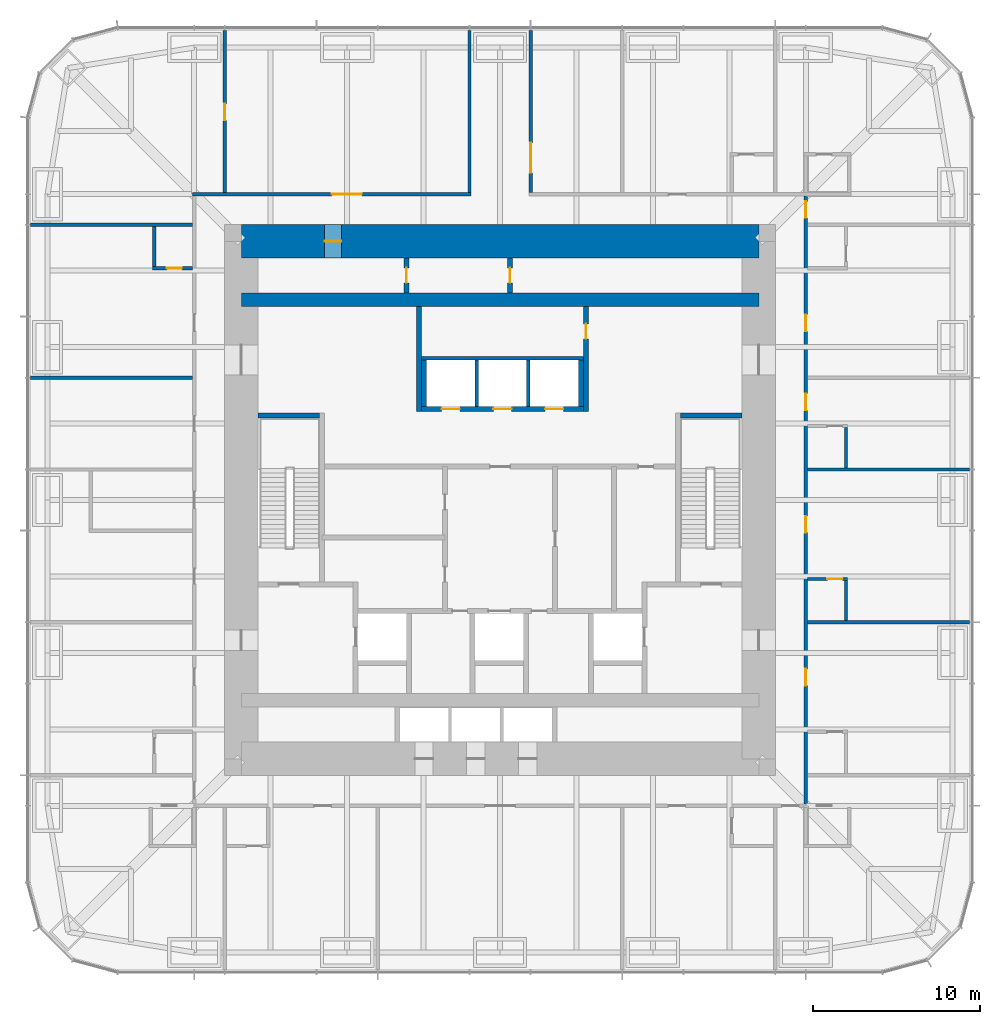
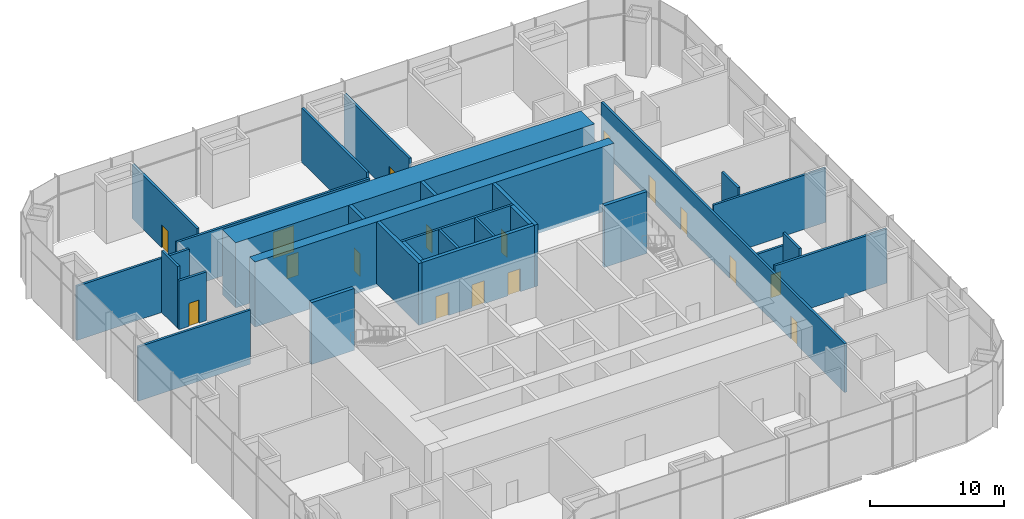
# One storey, part 10 of 12: 28 walls, 17 doors, 17 openings.
"""IFC4 building model written with IfcOpenShell, lengths in metres."""

from ifc_helpers import new_model, si_unit, direction, frame, frame_2d, origin, place, context, subcontext, project, spatial, rectangle, extrude, material, layer, layer_set, type_object, element, fill, save


model = new_model("IFC4")

# Units and contexts
model_context = context("Model", 3, precision=1e-05, world=origin(), true_north=direction((0.0, 1.0)))
body_context = subcontext(model_context, "Body", "Model", "MODEL_VIEW")
ifc_project = project(units=[si_unit("LENGTHUNIT", "METRE"), si_unit("AREAUNIT", "SQUARE_METRE"), si_unit("VOLUMEUNIT", "CUBIC_METRE"), si_unit("PLANEANGLEUNIT", "RADIAN"), si_unit("MASSUNIT", "GRAM", prefix="KILO")], contexts=[model_context])

# Site, building, storey
site_placement = place(None, origin())
site = spatial("IfcSite", under=ifc_project, at=site_placement, CompositionType="ELEMENT")
building_placement = place(site_placement, origin())
building = spatial("IfcBuilding", under=site, at=building_placement, Name="Khuree Lantern Residences", CompositionType="ELEMENT")
storey_placement = place(building_placement, frame((0.0, 0.0, 186.0)))
storey = spatial("IfcBuildingStorey", under=building, at=storey_placement, Name="L47", CompositionType="ELEMENT", Elevation=186.0)

# Wall, openings, doors
ifc_material_1 = material(Name="Dense concrete blockwork", Category="masonry")
ifc_layer_1 = layer(ifc_material_1, 0.300048828125)
ifc_layer_set_1 = layer_set([ifc_layer_1], Name="CORE PARTITION WALL CPW300 EI 120")
wall_type_1 = type_object("IfcWallType", Name="CORE PARTITION WALL CPW300 EI 120", PredefinedType="PARTITIONING", material=ifc_layer_set_1)
wall_1_placement = place(storey_placement, frame((-4.699951171875, 5.449951171875, 0.0), z_axis=(0.0, 0.0, 1.0), x_axis=(1.0, 0.0, 0.0)))
wall_1 = element("IfcWall", 1, at=wall_1_placement, inside=storey, type_object=wall_type_1, Name="L47 CORE WALL PHS", PredefinedType="PARTITIONING", context=body_context, shape_type="SweptSolid", body=[
    extrude(rectangle(XDim=9.699951171875, YDim=0.300048828125, at=frame_2d((4.85009765625, 0.0))), origin(), (0.0, 0.0, 1.0), 5.64990234375),
])
opening_1_placement = place(wall_1_placement, frame((1.199951171875, 0.0, 0.0)))
opening_1 = element("IfcOpeningElement", 2, at=opening_1_placement, cuts=wall_1, Name="Opening 47-009", PredefinedType="OPENING", context=body_context, shape_type="SweptSolid", body=[
    extrude(rectangle(XDim=1.10009765625, YDim=2.10009765625, at=frame_2d((0.550048828125, 1.050048828125))), frame((0.0, 0.16015625, 0.0), z_axis=(0.0, -1.0, 0.0), x_axis=(1.0, 0.0, 0.0)), (0.0, 0.0, 1.0), 0.320068359375),
])
opening_2_placement = place(wall_1_placement, frame((4.300048828125, 0.0, 0.0)))
opening_2 = element("IfcOpeningElement", 3, at=opening_2_placement, cuts=wall_1, Name="Opening 47-010", PredefinedType="OPENING", context=body_context, shape_type="SweptSolid", body=[
    extrude(rectangle(XDim=1.10009765625, YDim=2.10009765625, at=frame_2d((0.550048828125, 1.050048828125))), frame((0.0, 0.16015625, 0.0), z_axis=(0.0, -1.0, 0.0), x_axis=(1.0, 0.0, 0.0)), (0.0, 0.0, 1.0), 0.320068359375),
])
opening_3_placement = place(wall_1_placement, frame((7.39990234375, 0.0, 0.0)))
opening_3 = element("IfcOpeningElement", 4, at=opening_3_placement, cuts=wall_1, Name="Opening 47-011", PredefinedType="OPENING", context=body_context, shape_type="SweptSolid", body=[
    extrude(rectangle(XDim=1.10009765625, YDim=2.10009765625, at=frame_2d((0.550048828125, 1.050048828125))), frame((0.0, 0.16015625, 0.0), z_axis=(0.0, -1.0, 0.0), x_axis=(1.0, 0.0, 0.0)), (0.0, 0.0, 1.0), 0.320068359375),
])
ifc_material_2 = material(Name="Stainless steel lift landing door", Category="steel")
door_type_1 = type_object("IfcDoorType", Name="LIFT LANDING DOOR 1100X2100 E 60", OperationType="DOUBLE_DOOR_SLIDING", PredefinedType="DOOR", material=ifc_material_2)
door_1_placement = place(opening_1_placement, origin())
door_1 = element("IfcDoor", 5, at=door_1_placement, inside=storey, type_object=door_type_1, Name="Landing door PH1 47-009", OperationType="DOUBLE_DOOR_SLIDING", OverallHeight=2.10009765625, OverallWidth=1.10009765625, PredefinedType="DOOR", context=body_context, shape_type="SweptSolid", body=[
    extrude(rectangle(XDim=1.10009765625, YDim=2.10009765625, at=frame_2d((0.550048828125, 1.050048828125))), frame((0.0, 0.02490234375, 0.0), z_axis=(0.0, -1.0, 0.0), x_axis=(1.0, 0.0, 0.0)), (0.0, 0.0, 1.0), 0.050048828125),
])
fill(opening_1, door_1)
door_2_placement = place(opening_2_placement, origin())
door_2 = element("IfcDoor", 6, at=door_2_placement, inside=storey, type_object=door_type_1, Name="Landing door PH2 47-010", OperationType="DOUBLE_DOOR_SLIDING", OverallHeight=2.10009765625, OverallWidth=1.10009765625, PredefinedType="DOOR", context=body_context, shape_type="SweptSolid", body=[
    extrude(rectangle(XDim=1.10009765625, YDim=2.10009765625, at=frame_2d((0.550048828125, 1.050048828125))), frame((0.0, 0.02490234375, 0.0), z_axis=(0.0, -1.0, 0.0), x_axis=(1.0, 0.0, 0.0)), (0.0, 0.0, 1.0), 0.050048828125),
])
fill(opening_2, door_2)
door_3_placement = place(opening_3_placement, origin())
door_3 = element("IfcDoor", 7, at=door_3_placement, inside=storey, type_object=door_type_1, Name="Landing door PH3 47-011", OperationType="DOUBLE_DOOR_SLIDING", OverallHeight=2.10009765625, OverallWidth=1.10009765625, PredefinedType="DOOR", context=body_context, shape_type="SweptSolid", body=[
    extrude(rectangle(XDim=1.10009765625, YDim=2.10009765625, at=frame_2d((0.550048828125, 1.050048828125))), frame((0.0, 0.02490234375, 0.0), z_axis=(0.0, -1.0, 0.0), x_axis=(1.0, 0.0, 0.0)), (0.0, 0.0, 1.0), 0.050048828125),
])
fill(opening_3, door_3)

# Walls
for number, where, z_axis, x_axis, name in (
    (8, (-4.550048828125, 5.60009765625, 0.0), (0.0, 0.0, 1.0), (0.0, 1.0, 0.0), "L47 CORE WALL PHW"),
    (9, (4.85009765625, 5.60009765625, 0.0), (0.0, 0.0, 1.0), (0.0, 1.0, 0.0), "L47 CORE WALL PHE"),
):
    element("IfcWall", number, at=place(storey_placement, frame(where, z_axis=z_axis, x_axis=x_axis)), inside=storey, type_object=wall_type_1, Name=name, PredefinedType="PARTITIONING", context=body_context, shape_type="SweptSolid", body=[
        extrude(rectangle(XDim=2.7998046875, YDim=0.300048828125, at=frame_2d((1.39990234375, 0.0))), origin(), (0.0, 0.0, 1.0), 5.64990234375),
    ])
wall_2_placement = place(storey_placement, frame((-4.85009765625, 5.300048828125, 0.0), z_axis=(0.0, 0.0, 1.0), x_axis=(0.0, 1.0, 0.0)))
element("IfcWall", 10, at=wall_2_placement, inside=storey, type_object=wall_type_1, Name="L47 CORE WALL NW", PredefinedType="PARTITIONING", context=body_context, shape_type="SweptSolid", body=[
    extrude(rectangle(XDim=6.300048828125, YDim=0.300048828125, at=frame_2d((3.14990234375, 0.0))), origin(), (0.0, 0.0, 1.0), 5.64990234375),
])

# Wall, opening, door
wall_3_placement = place(storey_placement, frame((5.14990234375, 5.300048828125, 0.0), z_axis=(0.0, 0.0, 1.0), x_axis=(0.0, 1.0, 0.0)))
wall_3 = element("IfcWall", 11, at=wall_3_placement, inside=storey, type_object=wall_type_1, Name="L47 CORE WALL NE", PredefinedType="PARTITIONING", context=body_context, shape_type="SweptSolid", body=[
    extrude(rectangle(XDim=6.300048828125, YDim=0.300048828125, at=frame_2d((3.14990234375, 0.0))), origin(), (0.0, 0.0, 1.0), 5.64990234375),
])
opening_4_placement = place(wall_3_placement, frame((4.35009765625, 0.0, 0.0)))
opening_4 = element("IfcOpeningElement", 12, at=opening_4_placement, cuts=wall_3, Name="Opening 47-023", PredefinedType="OPENING", context=body_context, shape_type="SweptSolid", body=[
    extrude(rectangle(XDim=0.89990234375, YDim=2.10009765625, at=frame_2d((0.449951171875, 1.050048828125))), frame((0.0, 0.16015625, 0.0), z_axis=(0.0, -1.0, 0.0), x_axis=(1.0, 0.0, 0.0)), (0.0, 0.0, 1.0), 0.320068359375),
])
ifc_material_3 = material(Name="Timber door leaf in hardwood frame", Category="wood")
door_type_2 = type_object("IfcDoorType", Name="DOOR 900X2100", OperationType="SINGLE_SWING_LEFT", PredefinedType="DOOR", material=ifc_material_3)
door_4_placement = place(opening_4_placement, origin())
door_4 = element("IfcDoor", 13, at=door_4_placement, inside=storey, type_object=door_type_2, Name="Linen and laundry store door 47-023", OperationType="SINGLE_SWING_LEFT", OverallHeight=2.10009765625, OverallWidth=0.89990234375, PredefinedType="DOOR", context=body_context, shape_type="SweptSolid", body=[
    extrude(rectangle(XDim=0.89990234375, YDim=2.10009765625, at=frame_2d((0.449951171875, 1.050048828125))), frame((0.0, 0.02490234375, 0.0), z_axis=(0.0, -1.0, 0.0), x_axis=(1.0, 0.0, 0.0)), (0.0, 0.0, 1.0), 0.050048828125),
])
fill(opening_4, door_4)

wall_4_placement = place(storey_placement, frame((-5.60009765625, 12.39990234375, 0.0), z_axis=(0.0, 0.0, 1.0), x_axis=(0.0, 1.0, 0.0)))
wall_4 = element("IfcWall", 14, at=wall_4_placement, inside=storey, type_object=wall_type_1, Name="L47 CORE WALL PLX", PredefinedType="PARTITIONING", context=body_context, shape_type="SweptSolid", body=[
    extrude(rectangle(XDim=2.10009765625, YDim=0.300048828125, at=frame_2d((1.050048828125, 0.0))), origin(), (0.0, 0.0, 1.0), 5.64990234375),
])
opening_5_placement = place(wall_4_placement, frame((0.60009765625, 0.0, 0.0)))
opening_5 = element("IfcOpeningElement", 15, at=opening_5_placement, cuts=wall_4, Name="Opening 47-024", PredefinedType="OPENING", context=body_context, shape_type="SweptSolid", body=[
    extrude(rectangle(XDim=0.89990234375, YDim=2.10009765625, at=frame_2d((0.449951171875, 1.050048828125))), frame((0.0, 0.16015625, 0.0), z_axis=(0.0, -1.0, 0.0), x_axis=(1.0, 0.0, 0.0)), (0.0, 0.0, 1.0), 0.320068359375),
])
door_5_placement = place(opening_5_placement, origin())
door_5 = element("IfcDoor", 16, at=door_5_placement, inside=storey, type_object=door_type_2, Name="Store door 47-024", OperationType="SINGLE_SWING_LEFT", OverallHeight=2.10009765625, OverallWidth=0.89990234375, PredefinedType="DOOR", context=body_context, shape_type="SweptSolid", body=[
    extrude(rectangle(XDim=0.89990234375, YDim=2.10009765625, at=frame_2d((0.449951171875, 1.050048828125))), frame((0.0, 0.02490234375, 0.0), z_axis=(0.0, -1.0, 0.0), x_axis=(1.0, 0.0, 0.0)), (0.0, 0.0, 1.0), 0.050048828125),
])
fill(opening_5, door_5)

wall_5_placement = place(storey_placement, frame((0.60009765625, 12.39990234375, 0.0), z_axis=(0.0, 0.0, 1.0), x_axis=(0.0, 1.0, 0.0)))
wall_5 = element("IfcWall", 17, at=wall_5_placement, inside=storey, type_object=wall_type_1, Name="L47 CORE WALL PLY", PredefinedType="PARTITIONING", context=body_context, shape_type="SweptSolid", body=[
    extrude(rectangle(XDim=2.10009765625, YDim=0.300048828125, at=frame_2d((1.050048828125, 0.0))), origin(), (0.0, 0.0, 1.0), 5.64990234375),
])
opening_6_placement = place(wall_5_placement, frame((0.60009765625, 0.0, 0.0)))
opening_6 = element("IfcOpeningElement", 18, at=opening_6_placement, cuts=wall_5, Name="Opening 47-025", PredefinedType="OPENING", context=body_context, shape_type="SweptSolid", body=[
    extrude(rectangle(XDim=0.89990234375, YDim=2.10009765625, at=frame_2d((0.449951171875, 1.050048828125))), frame((0.0, 0.16015625, 0.0), z_axis=(0.0, -1.0, 0.0), x_axis=(1.0, 0.0, 0.0)), (0.0, 0.0, 1.0), 0.320068359375),
])
door_6_placement = place(opening_6_placement, origin())
door_6 = element("IfcDoor", 19, at=door_6_placement, inside=storey, type_object=door_type_2, Name="Maintenance store door 47-025", OperationType="SINGLE_SWING_LEFT", OverallHeight=2.10009765625, OverallWidth=0.89990234375, PredefinedType="DOOR", context=body_context, shape_type="SweptSolid", body=[
    extrude(rectangle(XDim=0.89990234375, YDim=2.10009765625, at=frame_2d((0.449951171875, 1.050048828125))), frame((0.0, 0.02490234375, 0.0), z_axis=(0.0, -1.0, 0.0), x_axis=(1.0, 0.0, 0.0)), (0.0, 0.0, 1.0), 0.050048828125),
])
fill(opening_6, door_6)

ifc_material_4 = material(Name="Concrete C70/85", Category="concrete")
ifc_layer_2 = layer(ifc_material_4, 2.0)
ifc_layer_set_2 = layer_set([ifc_layer_2], Name="CW2000-C70 CORE WALL C70 2000")
wall_type_2 = type_object("IfcWallType", Name="CW2000-C70 CORE WALL C70 2000", PredefinedType="SHEAR", material=ifc_layer_set_2)
wall_6_placement = place(storey_placement, frame((-15.5, 15.5, -0.300048828125), z_axis=(0.0, 0.0, 1.0), x_axis=(1.0, 0.0, 0.0)))
wall_6 = element("IfcWall", 20, at=wall_6_placement, inside=storey, type_object=wall_type_2, Name="Core wall N", PredefinedType="SHEAR", context=body_context, shape_type="SweptSolid", body=[
    extrude(rectangle(XDim=31.0, YDim=2.0, at=frame_2d((15.5, 0.0))), origin(), (0.0, 0.0, 1.0), 5.949951171875),
])
opening_7_placement = place(wall_6_placement, frame((5.0, 0.0, 0.300048828125)))
opening_7 = element("IfcOpeningElement", 21, at=opening_7_placement, cuts=wall_6, Name="Opening 47-026", PredefinedType="OPENING", context=body_context, shape_type="SweptSolid", body=[
    extrude(rectangle(XDim=1.0, YDim=2.10009765625, at=frame_2d((0.5, 1.050048828125))), frame((0.0, 1.010009765625, 0.0), z_axis=(0.0, -1.0, 0.0), x_axis=(1.0, 0.0, 0.0)), (0.0, 0.0, 1.0), 2.02001953125),
])
ifc_material_5 = material(Name="Steel door leaf in steel frame", Category="steel")
door_type_3 = type_object("IfcDoorType", Name="DOOR 1000X2100 EI 60", OperationType="SINGLE_SWING_LEFT", PredefinedType="DOOR", material=ifc_material_5)
door_7_placement = place(opening_7_placement, origin())
door_7 = element("IfcDoor", 22, at=door_7_placement, inside=storey, type_object=door_type_3, Name="Linen store door 47-026", OperationType="SINGLE_SWING_LEFT", OverallHeight=2.10009765625, OverallWidth=1.0, PredefinedType="DOOR", context=body_context, shape_type="SweptSolid", body=[
    extrude(rectangle(XDim=1.0, YDim=2.10009765625, at=frame_2d((0.5, 1.050048828125))), frame((0.0, 0.02490234375, 0.0), z_axis=(0.0, -1.0, 0.0), x_axis=(1.0, 0.0, 0.0)), (0.0, 0.0, 1.0), 0.050048828125),
])
fill(opening_7, door_7)

# Wall, openings, doors
ifc_layer_3 = layer(ifc_material_1, 0.199951171875)
ifc_layer_set_3 = layer_set([ifc_layer_3], Name="ROOM WALL RMW200")
wall_type_3 = type_object("IfcWallType", Name="ROOM WALL RMW200", PredefinedType="SOLIDWALL", material=ifc_layer_set_3)
wall_7_placement = place(storey_placement, frame((18.320068359375, -18.219970703125, 0.0), z_axis=(0.0, 0.0, 1.0), x_axis=(0.0, 1.0, 0.0)))
wall_7 = element("IfcWall", 23, at=wall_7_placement, inside=storey, type_object=wall_type_3, Name="L47 ROOM WALL 17", PredefinedType="SOLIDWALL", context=body_context, shape_type="SweptSolid", body=[
    extrude(rectangle(XDim=36.43994140625, YDim=0.199951171875, at=frame_2d((18.219970703125, 0.0))), origin(), (0.0, 0.0, 1.0), 4.449951171875),
])
opening_8_placement = place(wall_7_placement, frame((7.10205078125, 0.0, 0.0)))
opening_8 = element("IfcOpeningElement", 24, at=opening_8_placement, cuts=wall_7, Name="Opening 47-033", PredefinedType="OPENING", context=body_context, shape_type="SweptSolid", body=[
    extrude(rectangle(XDim=1.0, YDim=2.10009765625, at=frame_2d((0.5, 1.050048828125))), frame((0.0, 0.10986328125, 0.0), z_axis=(0.0, -1.0, 0.0), x_axis=(1.0, 0.0, 0.0)), (0.0, 0.0, 1.0), 0.219970703125),
])
opening_9_placement = place(wall_7_placement, frame((16.261962890625, 0.0, 0.0)))
opening_9 = element("IfcOpeningElement", 25, at=opening_9_placement, cuts=wall_7, Name="Opening 47-034", PredefinedType="OPENING", context=body_context, shape_type="SweptSolid", body=[
    extrude(rectangle(XDim=1.0, YDim=2.10009765625, at=frame_2d((0.5, 1.050048828125))), frame((0.0, 0.10986328125, 0.0), z_axis=(0.0, -1.0, 0.0), x_axis=(1.0, 0.0, 0.0)), (0.0, 0.0, 1.0), 0.219970703125),
])
opening_10_placement = place(wall_7_placement, frame((23.590087890625, 0.0, 0.0)))
opening_10 = element("IfcOpeningElement", 26, at=opening_10_placement, cuts=wall_7, Name="Opening 47-035", PredefinedType="OPENING", context=body_context, shape_type="SweptSolid", body=[
    extrude(rectangle(XDim=1.0, YDim=2.10009765625, at=frame_2d((0.5, 1.050048828125))), frame((0.0, 0.10986328125, 0.0), z_axis=(0.0, -1.0, 0.0), x_axis=(1.0, 0.0, 0.0)), (0.0, 0.0, 1.0), 0.219970703125),
])
opening_11_placement = place(wall_7_placement, frame((28.318115234375, 0.0, 0.0)))
opening_11 = element("IfcOpeningElement", 27, at=opening_11_placement, cuts=wall_7, Name="Opening 47-036", PredefinedType="OPENING", context=body_context, shape_type="SweptSolid", body=[
    extrude(rectangle(XDim=1.0, YDim=2.10009765625, at=frame_2d((0.5, 1.050048828125))), frame((0.0, 0.10986328125, 0.0), z_axis=(0.0, -1.0, 0.0), x_axis=(1.0, 0.0, 0.0)), (0.0, 0.0, 1.0), 0.219970703125),
])
opening_12_placement = place(wall_7_placement, frame((35.114013671875, 0.0, 0.0)))
opening_12 = element("IfcOpeningElement", 28, at=opening_12_placement, cuts=wall_7, Name="Opening 47-037", PredefinedType="OPENING", context=body_context, shape_type="SweptSolid", body=[
    extrude(rectangle(XDim=1.0, YDim=2.10009765625, at=frame_2d((0.5, 1.050048828125))), frame((0.0, 0.10986328125, 0.0), z_axis=(0.0, -1.0, 0.0), x_axis=(1.0, 0.0, 0.0)), (0.0, 0.0, 1.0), 0.219970703125),
])
door_type_4 = type_object("IfcDoorType", Name="DOOR 1000X2100", OperationType="SINGLE_SWING_LEFT", PredefinedType="DOOR", material=ifc_material_3)
door_8_placement = place(opening_8_placement, origin())
door_8 = element("IfcDoor", 29, at=door_8_placement, inside=storey, type_object=door_type_4, Name="Guest suite door 47-033", OperationType="SINGLE_SWING_LEFT", OverallHeight=2.10009765625, OverallWidth=1.0, PredefinedType="DOOR", context=body_context, shape_type="SweptSolid", body=[
    extrude(rectangle(XDim=1.0, YDim=2.10009765625, at=frame_2d((0.5, 1.050048828125))), frame((0.0, 0.02490234375, 0.0), z_axis=(0.0, -1.0, 0.0), x_axis=(1.0, 0.0, 0.0)), (0.0, 0.0, 1.0), 0.050048828125),
])
fill(opening_8, door_8)
door_9_placement = place(opening_9_placement, origin())
door_9 = element("IfcDoor", 30, at=door_9_placement, inside=storey, type_object=door_type_4, Name="Guest suite door 47-034", OperationType="SINGLE_SWING_LEFT", OverallHeight=2.10009765625, OverallWidth=1.0, PredefinedType="DOOR", context=body_context, shape_type="SweptSolid", body=[
    extrude(rectangle(XDim=1.0, YDim=2.10009765625, at=frame_2d((0.5, 1.050048828125))), frame((0.0, 0.02490234375, 0.0), z_axis=(0.0, -1.0, 0.0), x_axis=(1.0, 0.0, 0.0)), (0.0, 0.0, 1.0), 0.050048828125),
])
fill(opening_9, door_9)
door_10_placement = place(opening_10_placement, origin())
door_10 = element("IfcDoor", 31, at=door_10_placement, inside=storey, type_object=door_type_4, Name="Guest suite door 47-035", OperationType="SINGLE_SWING_LEFT", OverallHeight=2.10009765625, OverallWidth=1.0, PredefinedType="DOOR", context=body_context, shape_type="SweptSolid", body=[
    extrude(rectangle(XDim=1.0, YDim=2.10009765625, at=frame_2d((0.5, 1.050048828125))), frame((0.0, 0.02490234375, 0.0), z_axis=(0.0, -1.0, 0.0), x_axis=(1.0, 0.0, 0.0)), (0.0, 0.0, 1.0), 0.050048828125),
])
fill(opening_10, door_10)
door_11_placement = place(opening_11_placement, origin())
door_11 = element("IfcDoor", 32, at=door_11_placement, inside=storey, type_object=door_type_4, Name="Guest suite door 47-036", OperationType="SINGLE_SWING_LEFT", OverallHeight=2.10009765625, OverallWidth=1.0, PredefinedType="DOOR", context=body_context, shape_type="SweptSolid", body=[
    extrude(rectangle(XDim=1.0, YDim=2.10009765625, at=frame_2d((0.5, 1.050048828125))), frame((0.0, 0.02490234375, 0.0), z_axis=(0.0, -1.0, 0.0), x_axis=(1.0, 0.0, 0.0)), (0.0, 0.0, 1.0), 0.050048828125),
])
fill(opening_11, door_11)
door_type_5 = type_object("IfcDoorType", Name="DOOR 1000X2100 RIGHT HAND", OperationType="SINGLE_SWING_RIGHT", PredefinedType="DOOR", material=ifc_material_3)
door_12_placement = place(opening_12_placement, origin())
door_12 = element("IfcDoor", 33, at=door_12_placement, inside=storey, type_object=door_type_5, Name="Corner guest suite door 47-037", OperationType="SINGLE_SWING_RIGHT", OverallHeight=2.10009765625, OverallWidth=1.0, PredefinedType="DOOR", context=body_context, shape_type="SweptSolid", body=[
    extrude(rectangle(XDim=1.0, YDim=2.10009765625, at=frame_2d((0.5, 1.050048828125))), frame((0.0, 0.02490234375, 0.0), z_axis=(0.0, -1.0, 0.0), x_axis=(1.0, 0.0, 0.0)), (0.0, 0.0, 1.0), 0.050048828125),
])
fill(opening_12, door_12)

# Walls
wall_8_placement = place(storey_placement, frame((18.419921875, -7.327880859375, 0.0), z_axis=(0.0, 0.0, 1.0), x_axis=(1.0, 0.0, 0.0)))
element("IfcWall", 34, at=wall_8_placement, inside=storey, type_object=wall_type_3, Name="L47 ROOM WALL 25", PredefinedType="SOLIDWALL", context=body_context, shape_type="SweptSolid", body=[
    extrude(rectangle(XDim=9.7099609375, YDim=0.199951171875, at=frame_2d((4.85498046875, 0.0))), origin(), (0.0, 0.0, 1.0), 4.949951171875),
])
wall_9_placement = place(storey_placement, frame((20.719970703125, -7.22802734375, 0.0), z_axis=(0.0, 0.0, 1.0), x_axis=(0.0, 1.0, 0.0)))
element("IfcWall", 35, at=wall_9_placement, inside=storey, type_object=wall_type_3, Name="L47 ROOM WALL 26", PredefinedType="SOLIDWALL", context=body_context, shape_type="SweptSolid", body=[
    extrude(rectangle(XDim=2.400146484375, YDim=0.199951171875, at=frame_2d((1.2001953125, 0.0))), origin(), (0.0, 0.0, 1.0), 5.64990234375),
])

# Wall, opening, door
wall_10_placement = place(storey_placement, frame((18.419921875, -4.72802734375, 0.0), z_axis=(0.0, 0.0, 1.0), x_axis=(1.0, 0.0, 0.0)))
wall_10 = element("IfcWall", 36, at=wall_10_placement, inside=storey, type_object=wall_type_3, Name="L47 ROOM WALL 27", PredefinedType="SOLIDWALL", context=body_context, shape_type="SweptSolid", body=[
    extrude(rectangle(XDim=2.400146484375, YDim=0.199951171875, at=frame_2d((1.2001953125, 0.0))), origin(), (0.0, 0.0, 1.0), 4.449951171875),
])
opening_13_placement = place(wall_10_placement, frame((1.194091796875, 0.0, 0.0)))
opening_13 = element("IfcOpeningElement", 37, at=opening_13_placement, cuts=wall_10, Name="Opening 47-052", PredefinedType="OPENING", context=body_context, shape_type="SweptSolid", body=[
    extrude(rectangle(XDim=0.89990234375, YDim=2.10009765625, at=frame_2d((0.449951171875, 1.050048828125))), frame((0.0, 0.10986328125, 0.0), z_axis=(0.0, -1.0, 0.0), x_axis=(1.0, 0.0, 0.0)), (0.0, 0.0, 1.0), 0.219970703125),
])
door_type_6 = type_object("IfcDoorType", Name="WC DOOR 900X2100", OperationType="SINGLE_SWING_LEFT", PredefinedType="DOOR", material=ifc_material_3)
door_13_placement = place(opening_13_placement, origin())
door_13 = element("IfcDoor", 38, at=door_13_placement, inside=storey, type_object=door_type_6, Name="En-suite bathroom door 47-052", OperationType="SINGLE_SWING_LEFT", OverallHeight=2.10009765625, OverallWidth=0.89990234375, PredefinedType="DOOR", context=body_context, shape_type="SweptSolid", body=[
    extrude(rectangle(XDim=0.89990234375, YDim=2.10009765625, at=frame_2d((0.449951171875, 1.050048828125))), frame((0.0, 0.02490234375, 0.0), z_axis=(0.0, -1.0, 0.0), x_axis=(1.0, 0.0, 0.0)), (0.0, 0.0, 1.0), 0.050048828125),
])
fill(opening_13, door_13)

# Walls
wall_11_placement = place(storey_placement, frame((18.419921875, 1.83203125, 0.0), z_axis=(0.0, 0.0, 1.0), x_axis=(1.0, 0.0, 0.0)))
element("IfcWall", 39, at=wall_11_placement, inside=storey, type_object=wall_type_3, Name="L47 ROOM WALL 31", PredefinedType="SOLIDWALL", context=body_context, shape_type="SweptSolid", body=[
    extrude(rectangle(XDim=9.7099609375, YDim=0.199951171875, at=frame_2d((4.85498046875, 0.0))), origin(), (0.0, 0.0, 1.0), 4.949951171875),
])
wall_12_placement = place(storey_placement, frame((20.719970703125, 1.931884765625, 0.0), z_axis=(0.0, 0.0, 1.0), x_axis=(0.0, 1.0, 0.0)))
element("IfcWall", 40, at=wall_12_placement, inside=storey, type_object=wall_type_3, Name="L47 ROOM WALL 32", PredefinedType="SOLIDWALL", context=body_context, shape_type="SweptSolid", body=[
    extrude(rectangle(XDim=2.400146484375, YDim=0.199951171875, at=frame_2d((1.2001953125, 0.0))), origin(), (0.0, 0.0, 1.0), 5.64990234375),
])
wall_13_placement = place(storey_placement, frame((-28.1298828125, 7.327880859375, 0.0), z_axis=(0.0, 0.0, 1.0), x_axis=(1.0, 0.0, 0.0)))
element("IfcWall", 41, at=wall_13_placement, inside=storey, type_object=wall_type_3, Name="L47 ROOM WALL 34", PredefinedType="SOLIDWALL", context=body_context, shape_type="SweptSolid", body=[
    extrude(rectangle(XDim=9.7099609375, YDim=0.199951171875, at=frame_2d((4.85498046875, 0.0))), origin(), (0.0, 0.0, 1.0), 4.949951171875),
])

# Wall, opening, door
wall_14_placement = place(storey_placement, frame((-20.820068359375, 13.887939453125, 0.0), z_axis=(0.0, 0.0, 1.0), x_axis=(1.0, 0.0, 0.0)))
wall_14 = element("IfcWall", 42, at=wall_14_placement, inside=storey, type_object=wall_type_3, Name="L47 ROOM WALL 36", PredefinedType="SOLIDWALL", context=body_context, shape_type="SweptSolid", body=[
    extrude(rectangle(XDim=2.400146484375, YDim=0.199951171875, at=frame_2d((1.2001953125, 0.0))), origin(), (0.0, 0.0, 1.0), 4.449951171875),
])
opening_14_placement = place(wall_14_placement, frame((0.860107421875, 0.0, 0.0)))
opening_14 = element("IfcOpeningElement", 43, at=opening_14_placement, cuts=wall_14, Name="Opening 47-057", PredefinedType="OPENING", context=body_context, shape_type="SweptSolid", body=[
    extrude(rectangle(XDim=0.89990234375, YDim=2.10009765625, at=frame_2d((0.449951171875, 1.050048828125))), frame((0.0, 0.10986328125, 0.0), z_axis=(0.0, -1.0, 0.0), x_axis=(1.0, 0.0, 0.0)), (0.0, 0.0, 1.0), 0.219970703125),
])
door_14_placement = place(opening_14_placement, origin())
door_14 = element("IfcDoor", 44, at=door_14_placement, inside=storey, type_object=door_type_6, Name="En-suite bathroom door 47-057", OperationType="SINGLE_SWING_LEFT", OverallHeight=2.10009765625, OverallWidth=0.89990234375, PredefinedType="DOOR", context=body_context, shape_type="SweptSolid", body=[
    extrude(rectangle(XDim=0.89990234375, YDim=2.10009765625, at=frame_2d((0.449951171875, 1.050048828125))), frame((0.0, 0.02490234375, 0.0), z_axis=(0.0, -1.0, 0.0), x_axis=(1.0, 0.0, 0.0)), (0.0, 0.0, 1.0), 0.050048828125),
])
fill(opening_14, door_14)

# Walls
wall_15_placement = place(storey_placement, frame((-20.719970703125, 13.988037109375, 0.0), z_axis=(0.0, 0.0, 1.0), x_axis=(0.0, 1.0, 0.0)))
element("IfcWall", 45, at=wall_15_placement, inside=storey, type_object=wall_type_3, Name="L47 ROOM WALL 38", PredefinedType="SOLIDWALL", context=body_context, shape_type="SweptSolid", body=[
    extrude(rectangle(XDim=2.39990234375, YDim=0.199951171875, at=frame_2d((1.199951171875, 0.0))), origin(), (0.0, 0.0, 1.0), 5.64990234375),
])
wall_16_placement = place(storey_placement, frame((-28.1298828125, 16.488037109375, 0.0), z_axis=(0.0, 0.0, 1.0), x_axis=(1.0, 0.0, 0.0)))
element("IfcWall", 46, at=wall_16_placement, inside=storey, type_object=wall_type_3, Name="L47 ROOM WALL 40", PredefinedType="SOLIDWALL", context=body_context, shape_type="SweptSolid", body=[
    extrude(rectangle(XDim=9.7099609375, YDim=0.199951171875, at=frame_2d((4.85498046875, 0.0))), origin(), (0.0, 0.0, 1.0), 4.949951171875),
])

# Wall, opening, door
wall_17_placement = place(storey_placement, frame((-18.419921875, 18.320068359375, 0.0), z_axis=(0.0, 0.0, 1.0), x_axis=(1.0, 0.0, 0.0)))
wall_17 = element("IfcWall", 47, at=wall_17_placement, inside=storey, type_object=wall_type_3, Name="L47 ROOM WALL 42", PredefinedType="SOLIDWALL", context=body_context, shape_type="SweptSolid", body=[
    extrude(rectangle(XDim=16.68798828125, YDim=0.199951171875, at=frame_2d((8.343994140625, 0.0))), origin(), (0.0, 0.0, 1.0), 4.449951171875),
])
opening_15_placement = place(wall_17_placement, frame((8.35009765625, 0.0, 0.0)))
opening_15 = element("IfcOpeningElement", 48, at=opening_15_placement, cuts=wall_17, Name="Opening 47-040", PredefinedType="OPENING", context=body_context, shape_type="SweptSolid", body=[
    extrude(rectangle(XDim=1.800048828125, YDim=2.39990234375, at=frame_2d((0.89990234375, 1.199951171875))), frame((0.0, 0.10986328125, 0.0), z_axis=(0.0, -1.0, 0.0), x_axis=(1.0, 0.0, 0.0)), (0.0, 0.0, 1.0), 0.219970703125),
])
door_type_7 = type_object("IfcDoorType", Name="DOUBLE DOOR 1800X2400", OperationType="DOUBLE_DOOR_SINGLE_SWING", PredefinedType="DOOR", material=ifc_material_3)
door_15_placement = place(opening_15_placement, origin())
door_15 = element("IfcDoor", 49, at=door_15_placement, inside=storey, type_object=door_type_7, Name="Library door 47-040", OperationType="DOUBLE_DOOR_SINGLE_SWING", OverallHeight=2.39990234375, OverallWidth=1.800048828125, PredefinedType="DOOR", context=body_context, shape_type="SweptSolid", body=[
    extrude(rectangle(XDim=1.800048828125, YDim=2.39990234375, at=frame_2d((0.89990234375, 1.199951171875))), frame((0.0, 0.02490234375, 0.0), z_axis=(0.0, -1.0, 0.0), x_axis=(1.0, 0.0, 0.0)), (0.0, 0.0, 1.0), 0.050048828125),
])
fill(opening_15, door_15)

wall_18_placement = place(storey_placement, frame((-16.488037109375, 18.419921875, 0.0), z_axis=(0.0, 0.0, 1.0), x_axis=(0.0, 1.0, 0.0)))
wall_18 = element("IfcWall", 50, at=wall_18_placement, inside=storey, type_object=wall_type_3, Name="L47 ROOM WALL 44", PredefinedType="SOLIDWALL", context=body_context, shape_type="SweptSolid", body=[
    extrude(rectangle(XDim=9.7099609375, YDim=0.199951171875, at=frame_2d((4.85498046875, 0.0))), origin(), (0.0, 0.0, 1.0), 4.949951171875),
])
opening_16_placement = place(wall_18_placement, frame((4.31494140625, 0.0, 0.0)))
opening_16 = element("IfcOpeningElement", 51, at=opening_16_placement, cuts=wall_18, Name="Opening 47-041", PredefinedType="OPENING", context=body_context, shape_type="SweptSolid", body=[
    extrude(rectangle(XDim=1.0, YDim=2.10009765625, at=frame_2d((0.5, 1.050048828125))), frame((0.0, 0.10986328125, 0.0), z_axis=(0.0, -1.0, 0.0), x_axis=(1.0, 0.0, 0.0)), (0.0, 0.0, 1.0), 0.219970703125),
])
door_16_placement = place(opening_16_placement, origin())
door_16 = element("IfcDoor", 52, at=door_16_placement, inside=storey, type_object=door_type_5, Name="Reading room door 47-041", OperationType="SINGLE_SWING_RIGHT", OverallHeight=2.10009765625, OverallWidth=1.0, PredefinedType="DOOR", context=body_context, shape_type="SweptSolid", body=[
    extrude(rectangle(XDim=1.0, YDim=2.10009765625, at=frame_2d((0.5, 1.050048828125))), frame((0.0, 0.02490234375, 0.0), z_axis=(0.0, -1.0, 0.0), x_axis=(1.0, 0.0, 0.0)), (0.0, 0.0, 1.0), 0.050048828125),
])
fill(opening_16, door_16)

# Wall
wall_19_placement = place(storey_placement, frame((-1.83203125, 18.419921875, 0.0), z_axis=(0.0, 0.0, 1.0), x_axis=(0.0, 1.0, 0.0)))
element("IfcWall", 53, at=wall_19_placement, inside=storey, type_object=wall_type_3, Name="L47 ROOM WALL 45", PredefinedType="SOLIDWALL", context=body_context, shape_type="SweptSolid", body=[
    extrude(rectangle(XDim=9.7099609375, YDim=0.199951171875, at=frame_2d((4.85498046875, 0.0))), origin(), (0.0, 0.0, 1.0), 4.949951171875),
])

# Wall, opening, door
wall_20_placement = place(storey_placement, frame((1.83203125, 18.419921875, 0.0), z_axis=(0.0, 0.0, 1.0), x_axis=(0.0, 1.0, 0.0)))
wall_20 = element("IfcWall", 54, at=wall_20_placement, inside=storey, type_object=wall_type_3, Name="L47 ROOM WALL 46", PredefinedType="SOLIDWALL", context=body_context, shape_type="SweptSolid", body=[
    extrude(rectangle(XDim=9.7099609375, YDim=0.199951171875, at=frame_2d((4.85498046875, 0.0))), origin(), (0.0, 0.0, 1.0), 4.949951171875),
])
opening_17_placement = place(wall_20_placement, frame((1.177001953125, 0.0, 0.0)))
opening_17 = element("IfcOpeningElement", 55, at=opening_17_placement, cuts=wall_20, Name="Opening 47-039", PredefinedType="OPENING", context=body_context, shape_type="SweptSolid", body=[
    extrude(rectangle(XDim=1.800048828125, YDim=2.39990234375, at=frame_2d((0.89990234375, 1.199951171875))), frame((0.0, 0.10986328125, 0.0), z_axis=(0.0, -1.0, 0.0), x_axis=(1.0, 0.0, 0.0)), (0.0, 0.0, 1.0), 0.219970703125),
])
door_17_placement = place(opening_17_placement, origin())
door_17 = element("IfcDoor", 56, at=door_17_placement, inside=storey, type_object=door_type_7, Name="Media room door 47-039", OperationType="DOUBLE_DOOR_SINGLE_SWING", OverallHeight=2.39990234375, OverallWidth=1.800048828125, PredefinedType="DOOR", context=body_context, shape_type="SweptSolid", body=[
    extrude(rectangle(XDim=1.800048828125, YDim=2.39990234375, at=frame_2d((0.89990234375, 1.199951171875))), frame((0.0, 0.02490234375, 0.0), z_axis=(0.0, -1.0, 0.0), x_axis=(1.0, 0.0, 0.0)), (0.0, 0.0, 1.0), 0.050048828125),
])
fill(opening_17, door_17)

# Walls
ifc_layer_4 = layer(ifc_material_1, 0.199951171875)
ifc_layer_set_4 = layer_set([ifc_layer_4], Name="SHAFT WALL SHW200 EI 120")
wall_type_4 = type_object("IfcWallType", Name="SHAFT WALL SHW200 EI 120", PredefinedType="PARTITIONING", material=ifc_layer_set_4)
wall_21_placement = place(storey_placement, frame((-4.699951171875, 8.5, 0.0), z_axis=(0.0, 0.0, 1.0), x_axis=(1.0, 0.0, 0.0)))
element("IfcWall", 57, at=wall_21_placement, inside=storey, type_object=wall_type_4, Name="L47 CORE WALL PHN", PredefinedType="PARTITIONING", context=body_context, shape_type="SweptSolid", body=[
    extrude(rectangle(XDim=9.699951171875, YDim=0.199951171875, at=frame_2d((4.85009765625, 0.0))), origin(), (0.0, 0.0, 1.0), 5.64990234375),
])
for number, where, z_axis, x_axis, name in (
    (58, (-1.39990234375, 5.60009765625, 0.0), (0.0, 0.0, 1.0), (0.0, 1.0, 0.0), "L47 CORE WALL PHD1"),
    (59, (1.699951171875, 5.60009765625, 0.0), (0.0, 0.0, 1.0), (0.0, 1.0, 0.0), "L47 CORE WALL PHD2"),
):
    element("IfcWall", number, at=place(storey_placement, frame(where, z_axis=z_axis, x_axis=x_axis)), inside=storey, type_object=wall_type_4, Name=name, PredefinedType="PARTITIONING", context=body_context, shape_type="SweptSolid", body=[
        extrude(rectangle(XDim=2.7998046875, YDim=0.199951171875, at=frame_2d((1.39990234375, 0.0))), origin(), (0.0, 0.0, 1.0), 5.64990234375),
    ])
ifc_layer_5 = layer(ifc_material_4, 0.800048828125)
ifc_layer_set_5 = layer_set([ifc_layer_5], Name="SP800-C70 CORE SPINE WALL C70 800")
wall_type_5 = type_object("IfcWallType", Name="SP800-C70 CORE SPINE WALL C70 800", PredefinedType="SHEAR", material=ifc_layer_set_5)
wall_22_placement = place(storey_placement, frame((-15.5, 12.0, -0.300048828125), z_axis=(0.0, 0.0, 1.0), x_axis=(1.0, 0.0, 0.0)))
element("IfcWall", 60, at=wall_22_placement, inside=storey, type_object=wall_type_5, Name="Core wall SPN", PredefinedType="SHEAR", context=body_context, shape_type="SweptSolid", body=[
    extrude(rectangle(XDim=31.0, YDim=0.800048828125, at=frame_2d((15.5, 0.0))), origin(), (0.0, 0.0, 1.0), 5.949951171875),
])
ifc_material_6 = material(Name="Concrete C50/60", Category="concrete")
ifc_layer_6 = layer(ifc_material_6, 0.300048828125)
ifc_layer_set_6 = layer_set([ifc_layer_6], Name="STAIR WALL SRW300 C50/60 REI 240")
wall_type_6 = type_object("IfcWallType", Name="STAIR WALL SRW300 C50/60 REI 240", PredefinedType="SOLIDWALL", material=ifc_layer_set_6)
for number, where, z_axis, x_axis, name in (
    (61, (-14.5, 5.050048828125, 0.0), (0.0, 0.0, 1.0), (1.0, 0.0, 0.0), "L47 STAIR WALL ST1N"),
    (62, (14.5, 5.050048828125, 0.0), (0.0, 0.0, 1.0), (-1.0, 0.0, 0.0), "L47 STAIR WALL ST2N"),
):
    element("IfcWall", number, at=place(storey_placement, frame(where, z_axis=z_axis, x_axis=x_axis)), inside=storey, type_object=wall_type_6, Name=name, PredefinedType="SOLIDWALL", context=body_context, shape_type="SweptSolid", body=[
        extrude(rectangle(XDim=3.699951171875, YDim=0.300048828125, at=frame_2d((1.85009765625, 0.0))), origin(), (0.0, 0.0, 1.0), 5.64990234375),
    ])

save(model, "model.ifc")
